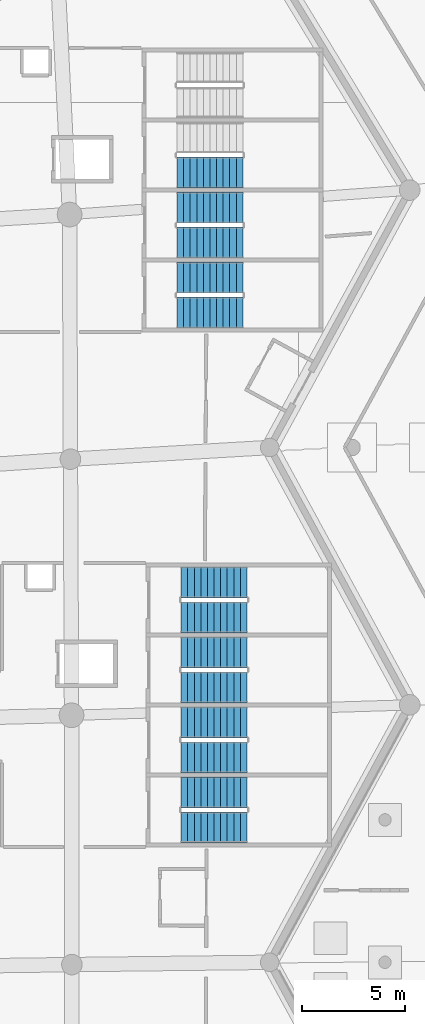
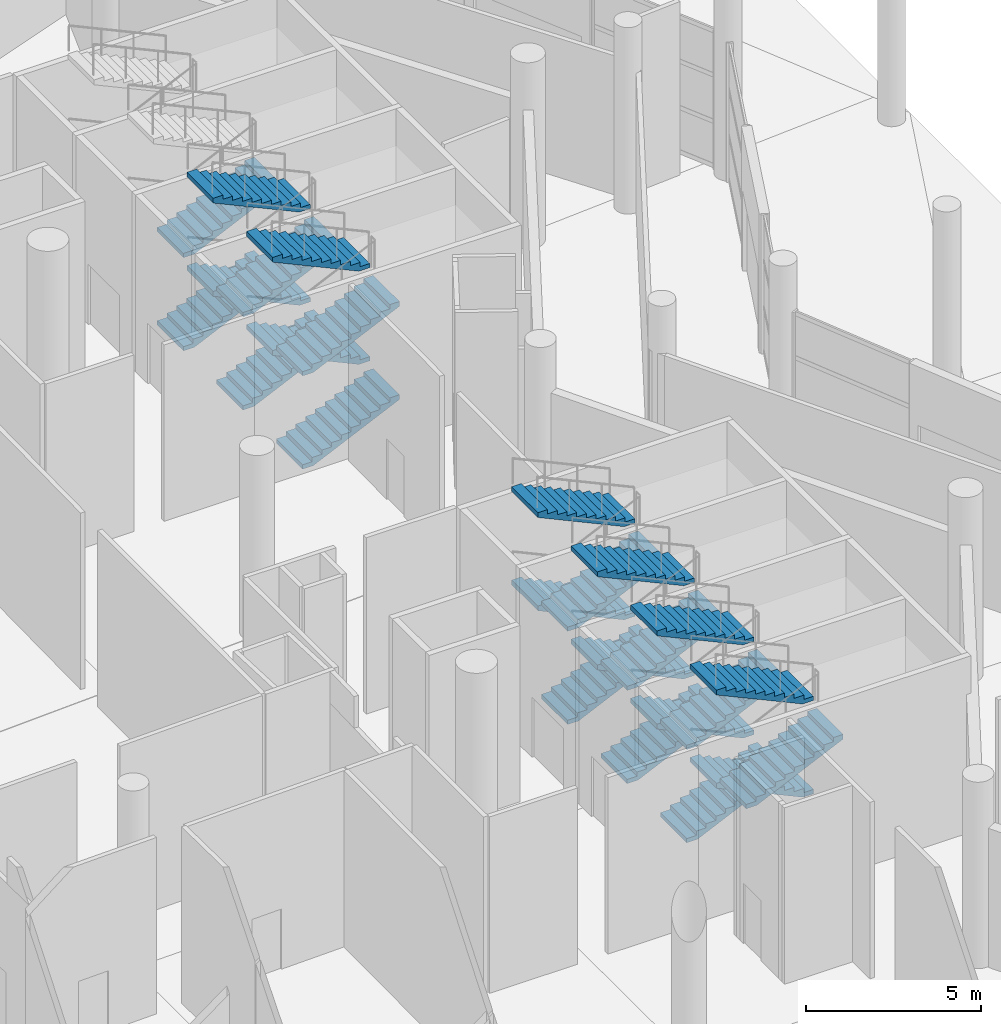
# One storey, part 178 of 255: 25 stair flights, 7 elements without a shape of their own.
"""IFC4 building model written with IfcOpenShell, lengths in metres."""

from ifc_helpers import new_model, si_unit, direction, frame, origin, place, context, subcontext, project, spatial, polyline, outline, extrude, material, type_object, element, aggregate, save


model = new_model("IFC4")

# Units and contexts
model_context = context("Model", 3, precision=1e-05, world=origin(), true_north=direction((0.0, 1.0)))
body_context = subcontext(model_context, "Body", "Model", "MODEL_VIEW")
ifc_project = project(units=[si_unit("LENGTHUNIT", "METRE"), si_unit("AREAUNIT", "SQUARE_METRE"), si_unit("VOLUMEUNIT", "CUBIC_METRE"), si_unit("PLANEANGLEUNIT", "RADIAN"), si_unit("MASSUNIT", "GRAM", prefix="KILO")], contexts=[model_context])

# Site, building, storey
site_placement = place(None, origin())
site = spatial("IfcSite", under=ifc_project, at=site_placement, CompositionType="ELEMENT")
building_placement = place(site_placement, origin())
building = spatial("IfcBuilding", under=site, at=building_placement, Name="Meseta Stadium", CompositionType="ELEMENT")
storey_placement = place(building_placement, origin())
storey = spatial("IfcBuildingStorey", under=building, at=storey_placement, Name="L00", CompositionType="ELEMENT", Elevation=0.0)

# Stair, stair flights
ifc_material_1 = material(Name="Concrete C40/50", Category="concrete")
stair_type = type_object("IfcStairType", Name="Exit stair 4 flights 148 mm risers", PredefinedType="HALF_TURN_STAIR", material=ifc_material_1)
stair_1_placement = place(storey_placement, origin())
stair_1 = element("IfcStair", 1, at=stair_1_placement, inside=storey, type_object=stair_type, Name="ST13 L00", PredefinedType="HALF_TURN_STAIR")
ifc_material_2 = material(Name="Concrete C40/50", Category="concrete")
stair_flight_type = type_object("IfcStairFlightType", Name="Exit stair flight 148 mm risers, 4 per storey", PredefinedType="STRAIGHT", material=ifc_material_2)
stair_flight_1_placement = place(storey_placement, frame((93.5, 14.5, 1.625), z_axis=(0.0, 0.0, 1.0), x_axis=(-1.0, 0.0, 0.0)))
stair_flight_1 = element("IfcStairFlight", 2, at=stair_flight_1_placement, type_object=stair_flight_type, Name="ST13 L00 flight 2", NumberOfRisers=11, NumberOfTreads=10, PredefinedType="STRAIGHT", RiserHeight=0.147727273, TreadLength=0.32, context=body_context, shape_type="SweptSolid", body=[
    extrude(outline(polyline([(0.0, 0.0), (0.0, 0.147705078125), (0.320068359375, 0.147705078125), (0.320068359375, 0.29541015625), (0.639892578125, 0.29541015625), (0.639892578125, 0.443115234375), (0.9599609375, 0.443115234375), (0.9599609375, 0.5908203125), (1.280029296875, 0.5908203125), (1.280029296875, 0.738525390625), (1.60009765625, 0.738525390625), (1.60009765625, 0.886474609375), (1.919921875, 0.886474609375), (1.919921875, 1.0341796875), (2.239990234375, 1.0341796875), (2.239990234375, 1.181884765625), (2.56005859375, 1.181884765625), (2.56005859375, 1.32958984375), (2.8798828125, 1.32958984375), (2.8798828125, 1.477294921875), (3.199951171875, 1.477294921875), (3.199951171875, 1.312255859375), (0.357666015625, 0.0), (0.0, 0.0)])), frame((0.0, 0.75, 0.0), z_axis=(0.0, -1.0, 0.0), x_axis=(1.0, 0.0, 0.0)), (0.0, 0.0, 1.0), 1.5),
])
stair_flight_2_placement = place(storey_placement, frame((90.300048828125, 12.800048828125, 3.25), z_axis=(0.0, 0.0, 1.0), x_axis=(1.0, 0.0, 0.0)))
stair_flight_2 = element("IfcStairFlight", 3, at=stair_flight_2_placement, type_object=stair_flight_type, Name="ST13 L00 flight 3", NumberOfRisers=11, NumberOfTreads=10, PredefinedType="STRAIGHT", RiserHeight=0.147727273, TreadLength=0.32, context=body_context, shape_type="SweptSolid", body=[
    extrude(outline(polyline([(0.0, 0.0), (0.0, 0.147705078125), (0.320068359375, 0.147705078125), (0.320068359375, 0.29541015625), (0.639892578125, 0.29541015625), (0.639892578125, 0.443115234375), (0.9599609375, 0.443115234375), (0.9599609375, 0.5908203125), (1.280029296875, 0.5908203125), (1.280029296875, 0.738525390625), (1.60009765625, 0.738525390625), (1.60009765625, 0.886474609375), (1.919921875, 0.886474609375), (1.919921875, 1.0341796875), (2.239990234375, 1.0341796875), (2.239990234375, 1.181884765625), (2.56005859375, 1.181884765625), (2.56005859375, 1.32958984375), (2.8798828125, 1.32958984375), (2.8798828125, 1.477294921875), (3.199951171875, 1.477294921875), (3.199951171875, 1.312255859375), (0.357666015625, 0.0), (0.0, 0.0)])), frame((0.0, 0.75, 0.0), z_axis=(0.0, -1.0, 0.0), x_axis=(1.0, 0.0, 0.0)), (0.0, 0.0, 1.0), 1.5),
])
stair_flight_3_placement = place(storey_placement, frame((93.5, 14.5, 4.875), z_axis=(0.0, 0.0, 1.0), x_axis=(-1.0, 0.0, 0.0)))
stair_flight_3 = element("IfcStairFlight", 4, at=stair_flight_3_placement, type_object=stair_flight_type, Name="ST13 L00 flight 4", NumberOfRisers=11, NumberOfTreads=10, PredefinedType="STRAIGHT", RiserHeight=0.147727273, TreadLength=0.32, context=body_context, shape_type="SweptSolid", body=[
    extrude(outline(polyline([(0.0, 0.0), (0.0, 0.147705078125), (0.320068359375, 0.147705078125), (0.320068359375, 0.29541015625), (0.639892578125, 0.29541015625), (0.639892578125, 0.443115234375), (0.9599609375, 0.443115234375), (0.9599609375, 0.5908203125), (1.280029296875, 0.5908203125), (1.280029296875, 0.738525390625), (1.60009765625, 0.738525390625), (1.60009765625, 0.886474609375), (1.919921875, 0.886474609375), (1.919921875, 1.0341796875), (2.239990234375, 1.0341796875), (2.239990234375, 1.181884765625), (2.56005859375, 1.181884765625), (2.56005859375, 1.32958984375), (2.8798828125, 1.32958984375), (2.8798828125, 1.477294921875), (3.199951171875, 1.477294921875), (3.199951171875, 1.312255859375), (0.357666015625, 0.0), (0.0, 0.0)])), frame((0.0, 0.75, 0.0), z_axis=(0.0, -1.0, 0.0), x_axis=(1.0, 0.0, 0.0)), (0.0, 0.0, 1.0), 1.5),
])
aggregate(stair_1, [stair_flight_1, stair_flight_2, stair_flight_3])

stair_2_placement = place(storey_placement, origin())
stair_2 = element("IfcStair", 5, at=stair_2_placement, inside=storey, type_object=stair_type, Name="ST14 L00", PredefinedType="HALF_TURN_STAIR")
stair_flight_4_placement = place(storey_placement, frame((90.300048828125, 16.199951171875, 0.0), z_axis=(0.0, 0.0, 1.0), x_axis=(1.0, 0.0, 0.0)))
stair_flight_4 = element("IfcStairFlight", 6, at=stair_flight_4_placement, type_object=stair_flight_type, Name="ST14 L00 flight 1", NumberOfRisers=11, NumberOfTreads=10, PredefinedType="STRAIGHT", RiserHeight=0.147727273, TreadLength=0.32, context=body_context, shape_type="SweptSolid", body=[
    extrude(outline(polyline([(0.0, 0.0), (0.0, 0.147705078125), (0.320068359375, 0.147705078125), (0.320068359375, 0.29541015625), (0.639892578125, 0.29541015625), (0.639892578125, 0.443115234375), (0.9599609375, 0.443115234375), (0.9599609375, 0.5908203125), (1.280029296875, 0.5908203125), (1.280029296875, 0.738525390625), (1.60009765625, 0.738525390625), (1.60009765625, 0.886474609375), (1.919921875, 0.886474609375), (1.919921875, 1.0341796875), (2.239990234375, 1.0341796875), (2.239990234375, 1.181884765625), (2.56005859375, 1.181884765625), (2.56005859375, 1.32958984375), (2.8798828125, 1.32958984375), (2.8798828125, 1.477294921875), (3.199951171875, 1.477294921875), (3.199951171875, 1.312255859375), (0.357666015625, 0.0), (0.0, 0.0)])), frame((0.0, 0.75, 0.0), z_axis=(0.0, -1.0, 0.0), x_axis=(1.0, 0.0, 0.0)), (0.0, 0.0, 1.0), 1.5),
])
stair_flight_5_placement = place(storey_placement, frame((93.5, 17.89990234375, 1.625), z_axis=(0.0, 0.0, 1.0), x_axis=(-1.0, 0.0, 0.0)))
stair_flight_5 = element("IfcStairFlight", 7, at=stair_flight_5_placement, type_object=stair_flight_type, Name="ST14 L00 flight 2", NumberOfRisers=11, NumberOfTreads=10, PredefinedType="STRAIGHT", RiserHeight=0.147727273, TreadLength=0.32, context=body_context, shape_type="SweptSolid", body=[
    extrude(outline(polyline([(0.0, 0.0), (0.0, 0.147705078125), (0.320068359375, 0.147705078125), (0.320068359375, 0.29541015625), (0.639892578125, 0.29541015625), (0.639892578125, 0.443115234375), (0.9599609375, 0.443115234375), (0.9599609375, 0.5908203125), (1.280029296875, 0.5908203125), (1.280029296875, 0.738525390625), (1.60009765625, 0.738525390625), (1.60009765625, 0.886474609375), (1.919921875, 0.886474609375), (1.919921875, 1.0341796875), (2.239990234375, 1.0341796875), (2.239990234375, 1.181884765625), (2.56005859375, 1.181884765625), (2.56005859375, 1.32958984375), (2.8798828125, 1.32958984375), (2.8798828125, 1.477294921875), (3.199951171875, 1.477294921875), (3.199951171875, 1.312255859375), (0.357666015625, 0.0), (0.0, 0.0)])), frame((0.0, 0.75, 0.0), z_axis=(0.0, -1.0, 0.0), x_axis=(1.0, 0.0, 0.0)), (0.0, 0.0, 1.0), 1.5),
])
stair_flight_6_placement = place(storey_placement, frame((90.300048828125, 16.199951171875, 3.25), z_axis=(0.0, 0.0, 1.0), x_axis=(1.0, 0.0, 0.0)))
stair_flight_6 = element("IfcStairFlight", 8, at=stair_flight_6_placement, type_object=stair_flight_type, Name="ST14 L00 flight 3", NumberOfRisers=11, NumberOfTreads=10, PredefinedType="STRAIGHT", RiserHeight=0.147727273, TreadLength=0.32, context=body_context, shape_type="SweptSolid", body=[
    extrude(outline(polyline([(0.0, 0.0), (0.0, 0.147705078125), (0.320068359375, 0.147705078125), (0.320068359375, 0.29541015625), (0.639892578125, 0.29541015625), (0.639892578125, 0.443115234375), (0.9599609375, 0.443115234375), (0.9599609375, 0.5908203125), (1.280029296875, 0.5908203125), (1.280029296875, 0.738525390625), (1.60009765625, 0.738525390625), (1.60009765625, 0.886474609375), (1.919921875, 0.886474609375), (1.919921875, 1.0341796875), (2.239990234375, 1.0341796875), (2.239990234375, 1.181884765625), (2.56005859375, 1.181884765625), (2.56005859375, 1.32958984375), (2.8798828125, 1.32958984375), (2.8798828125, 1.477294921875), (3.199951171875, 1.477294921875), (3.199951171875, 1.312255859375), (0.357666015625, 0.0), (0.0, 0.0)])), frame((0.0, 0.75, 0.0), z_axis=(0.0, -1.0, 0.0), x_axis=(1.0, 0.0, 0.0)), (0.0, 0.0, 1.0), 1.5),
])
stair_flight_7_placement = place(storey_placement, frame((93.5, 17.89990234375, 4.875), z_axis=(0.0, 0.0, 1.0), x_axis=(-1.0, 0.0, 0.0)))
stair_flight_7 = element("IfcStairFlight", 9, at=stair_flight_7_placement, type_object=stair_flight_type, Name="ST14 L00 flight 4", NumberOfRisers=11, NumberOfTreads=10, PredefinedType="STRAIGHT", RiserHeight=0.147727273, TreadLength=0.32, context=body_context, shape_type="SweptSolid", body=[
    extrude(outline(polyline([(0.0, 0.0), (0.0, 0.147705078125), (0.320068359375, 0.147705078125), (0.320068359375, 0.29541015625), (0.639892578125, 0.29541015625), (0.639892578125, 0.443115234375), (0.9599609375, 0.443115234375), (0.9599609375, 0.5908203125), (1.280029296875, 0.5908203125), (1.280029296875, 0.738525390625), (1.60009765625, 0.738525390625), (1.60009765625, 0.886474609375), (1.919921875, 0.886474609375), (1.919921875, 1.0341796875), (2.239990234375, 1.0341796875), (2.239990234375, 1.181884765625), (2.56005859375, 1.181884765625), (2.56005859375, 1.32958984375), (2.8798828125, 1.32958984375), (2.8798828125, 1.477294921875), (3.199951171875, 1.477294921875), (3.199951171875, 1.312255859375), (0.357666015625, 0.0), (0.0, 0.0)])), frame((0.0, 0.75, 0.0), z_axis=(0.0, -1.0, 0.0), x_axis=(1.0, 0.0, 0.0)), (0.0, 0.0, 1.0), 1.5),
])
aggregate(stair_2, [stair_flight_4, stair_flight_5, stair_flight_6, stair_flight_7])

stair_3_placement = place(storey_placement, origin())
stair_3 = element("IfcStair", 10, at=stair_3_placement, inside=storey, type_object=stair_type, Name="ST15 L00", PredefinedType="HALF_TURN_STAIR")
stair_flight_8_placement = place(storey_placement, frame((90.300048828125, 19.60009765625, 0.0), z_axis=(0.0, 0.0, 1.0), x_axis=(1.0, 0.0, 0.0)))
stair_flight_8 = element("IfcStairFlight", 11, at=stair_flight_8_placement, type_object=stair_flight_type, Name="ST15 L00 flight 1", NumberOfRisers=11, NumberOfTreads=10, PredefinedType="STRAIGHT", RiserHeight=0.147727273, TreadLength=0.32, context=body_context, shape_type="SweptSolid", body=[
    extrude(outline(polyline([(0.0, 0.0), (0.0, 0.147705078125), (0.320068359375, 0.147705078125), (0.320068359375, 0.29541015625), (0.639892578125, 0.29541015625), (0.639892578125, 0.443115234375), (0.9599609375, 0.443115234375), (0.9599609375, 0.5908203125), (1.280029296875, 0.5908203125), (1.280029296875, 0.738525390625), (1.60009765625, 0.738525390625), (1.60009765625, 0.886474609375), (1.919921875, 0.886474609375), (1.919921875, 1.0341796875), (2.239990234375, 1.0341796875), (2.239990234375, 1.181884765625), (2.56005859375, 1.181884765625), (2.56005859375, 1.32958984375), (2.8798828125, 1.32958984375), (2.8798828125, 1.477294921875), (3.199951171875, 1.477294921875), (3.199951171875, 1.312255859375), (0.357666015625, 0.0), (0.0, 0.0)])), frame((0.0, 0.75, 0.0), z_axis=(0.0, -1.0, 0.0), x_axis=(1.0, 0.0, 0.0)), (0.0, 0.0, 1.0), 1.5),
])
stair_flight_9_placement = place(storey_placement, frame((93.5, 21.300048828125, 1.625), z_axis=(0.0, 0.0, 1.0), x_axis=(-1.0, 0.0, 0.0)))
stair_flight_9 = element("IfcStairFlight", 12, at=stair_flight_9_placement, type_object=stair_flight_type, Name="ST15 L00 flight 2", NumberOfRisers=11, NumberOfTreads=10, PredefinedType="STRAIGHT", RiserHeight=0.147727273, TreadLength=0.32, context=body_context, shape_type="SweptSolid", body=[
    extrude(outline(polyline([(0.0, 0.0), (0.0, 0.147705078125), (0.320068359375, 0.147705078125), (0.320068359375, 0.29541015625), (0.639892578125, 0.29541015625), (0.639892578125, 0.443115234375), (0.9599609375, 0.443115234375), (0.9599609375, 0.5908203125), (1.280029296875, 0.5908203125), (1.280029296875, 0.738525390625), (1.60009765625, 0.738525390625), (1.60009765625, 0.886474609375), (1.919921875, 0.886474609375), (1.919921875, 1.0341796875), (2.239990234375, 1.0341796875), (2.239990234375, 1.181884765625), (2.56005859375, 1.181884765625), (2.56005859375, 1.32958984375), (2.8798828125, 1.32958984375), (2.8798828125, 1.477294921875), (3.199951171875, 1.477294921875), (3.199951171875, 1.312255859375), (0.357666015625, 0.0), (0.0, 0.0)])), frame((0.0, 0.75, 0.0), z_axis=(0.0, -1.0, 0.0), x_axis=(1.0, 0.0, 0.0)), (0.0, 0.0, 1.0), 1.5),
])
stair_flight_10_placement = place(storey_placement, frame((90.300048828125, 19.60009765625, 3.25), z_axis=(0.0, 0.0, 1.0), x_axis=(1.0, 0.0, 0.0)))
stair_flight_10 = element("IfcStairFlight", 13, at=stair_flight_10_placement, type_object=stair_flight_type, Name="ST15 L00 flight 3", NumberOfRisers=11, NumberOfTreads=10, PredefinedType="STRAIGHT", RiserHeight=0.147727273, TreadLength=0.32, context=body_context, shape_type="SweptSolid", body=[
    extrude(outline(polyline([(0.0, 0.0), (0.0, 0.147705078125), (0.320068359375, 0.147705078125), (0.320068359375, 0.29541015625), (0.639892578125, 0.29541015625), (0.639892578125, 0.443115234375), (0.9599609375, 0.443115234375), (0.9599609375, 0.5908203125), (1.280029296875, 0.5908203125), (1.280029296875, 0.738525390625), (1.60009765625, 0.738525390625), (1.60009765625, 0.886474609375), (1.919921875, 0.886474609375), (1.919921875, 1.0341796875), (2.239990234375, 1.0341796875), (2.239990234375, 1.181884765625), (2.56005859375, 1.181884765625), (2.56005859375, 1.32958984375), (2.8798828125, 1.32958984375), (2.8798828125, 1.477294921875), (3.199951171875, 1.477294921875), (3.199951171875, 1.312255859375), (0.357666015625, 0.0), (0.0, 0.0)])), frame((0.0, 0.75, 0.0), z_axis=(0.0, -1.0, 0.0), x_axis=(1.0, 0.0, 0.0)), (0.0, 0.0, 1.0), 1.5),
])
stair_flight_11_placement = place(storey_placement, frame((93.5, 21.300048828125, 4.875), z_axis=(0.0, 0.0, 1.0), x_axis=(-1.0, 0.0, 0.0)))
stair_flight_11 = element("IfcStairFlight", 14, at=stair_flight_11_placement, type_object=stair_flight_type, Name="ST15 L00 flight 4", NumberOfRisers=11, NumberOfTreads=10, PredefinedType="STRAIGHT", RiserHeight=0.147727273, TreadLength=0.32, context=body_context, shape_type="SweptSolid", body=[
    extrude(outline(polyline([(0.0, 0.0), (0.0, 0.147705078125), (0.320068359375, 0.147705078125), (0.320068359375, 0.29541015625), (0.639892578125, 0.29541015625), (0.639892578125, 0.443115234375), (0.9599609375, 0.443115234375), (0.9599609375, 0.5908203125), (1.280029296875, 0.5908203125), (1.280029296875, 0.738525390625), (1.60009765625, 0.738525390625), (1.60009765625, 0.886474609375), (1.919921875, 0.886474609375), (1.919921875, 1.0341796875), (2.239990234375, 1.0341796875), (2.239990234375, 1.181884765625), (2.56005859375, 1.181884765625), (2.56005859375, 1.32958984375), (2.8798828125, 1.32958984375), (2.8798828125, 1.477294921875), (3.199951171875, 1.477294921875), (3.199951171875, 1.312255859375), (0.357666015625, 0.0), (0.0, 0.0)])), frame((0.0, 0.75, 0.0), z_axis=(0.0, -1.0, 0.0), x_axis=(1.0, 0.0, 0.0)), (0.0, 0.0, 1.0), 1.5),
])
aggregate(stair_3, [stair_flight_8, stair_flight_9, stair_flight_10, stair_flight_11])

stair_4_placement = place(storey_placement, origin())
stair_4 = element("IfcStair", 15, at=stair_4_placement, inside=storey, type_object=stair_type, Name="ST16 L00", PredefinedType="HALF_TURN_STAIR")
stair_flight_12_placement = place(storey_placement, frame((90.300048828125, 23.0, 0.0), z_axis=(0.0, 0.0, 1.0), x_axis=(1.0, 0.0, 0.0)))
stair_flight_12 = element("IfcStairFlight", 16, at=stair_flight_12_placement, type_object=stair_flight_type, Name="ST16 L00 flight 1", NumberOfRisers=11, NumberOfTreads=10, PredefinedType="STRAIGHT", RiserHeight=0.147727273, TreadLength=0.32, context=body_context, shape_type="SweptSolid", body=[
    extrude(outline(polyline([(0.0, 0.0), (0.0, 0.147705078125), (0.320068359375, 0.147705078125), (0.320068359375, 0.29541015625), (0.639892578125, 0.29541015625), (0.639892578125, 0.443115234375), (0.9599609375, 0.443115234375), (0.9599609375, 0.5908203125), (1.280029296875, 0.5908203125), (1.280029296875, 0.738525390625), (1.60009765625, 0.738525390625), (1.60009765625, 0.886474609375), (1.919921875, 0.886474609375), (1.919921875, 1.0341796875), (2.239990234375, 1.0341796875), (2.239990234375, 1.181884765625), (2.56005859375, 1.181884765625), (2.56005859375, 1.32958984375), (2.8798828125, 1.32958984375), (2.8798828125, 1.477294921875), (3.199951171875, 1.477294921875), (3.199951171875, 1.312255859375), (0.357666015625, 0.0), (0.0, 0.0)])), frame((0.0, 0.75, 0.0), z_axis=(0.0, -1.0, 0.0), x_axis=(1.0, 0.0, 0.0)), (0.0, 0.0, 1.0), 1.5),
])
stair_flight_13_placement = place(storey_placement, frame((93.5, 24.699951171875, 1.625), z_axis=(0.0, 0.0, 1.0), x_axis=(-1.0, 0.0, 0.0)))
stair_flight_13 = element("IfcStairFlight", 17, at=stair_flight_13_placement, type_object=stair_flight_type, Name="ST16 L00 flight 2", NumberOfRisers=11, NumberOfTreads=10, PredefinedType="STRAIGHT", RiserHeight=0.147727273, TreadLength=0.32, context=body_context, shape_type="SweptSolid", body=[
    extrude(outline(polyline([(0.0, 0.0), (0.0, 0.147705078125), (0.320068359375, 0.147705078125), (0.320068359375, 0.29541015625), (0.639892578125, 0.29541015625), (0.639892578125, 0.443115234375), (0.9599609375, 0.443115234375), (0.9599609375, 0.5908203125), (1.280029296875, 0.5908203125), (1.280029296875, 0.738525390625), (1.60009765625, 0.738525390625), (1.60009765625, 0.886474609375), (1.919921875, 0.886474609375), (1.919921875, 1.0341796875), (2.239990234375, 1.0341796875), (2.239990234375, 1.181884765625), (2.56005859375, 1.181884765625), (2.56005859375, 1.32958984375), (2.8798828125, 1.32958984375), (2.8798828125, 1.477294921875), (3.199951171875, 1.477294921875), (3.199951171875, 1.312255859375), (0.357666015625, 0.0), (0.0, 0.0)])), frame((0.0, 0.75, 0.0), z_axis=(0.0, -1.0, 0.0), x_axis=(1.0, 0.0, 0.0)), (0.0, 0.0, 1.0), 1.5),
])
stair_flight_14_placement = place(storey_placement, frame((90.300048828125, 23.0, 3.25), z_axis=(0.0, 0.0, 1.0), x_axis=(1.0, 0.0, 0.0)))
stair_flight_14 = element("IfcStairFlight", 18, at=stair_flight_14_placement, type_object=stair_flight_type, Name="ST16 L00 flight 3", NumberOfRisers=11, NumberOfTreads=10, PredefinedType="STRAIGHT", RiserHeight=0.147727273, TreadLength=0.32, context=body_context, shape_type="SweptSolid", body=[
    extrude(outline(polyline([(0.0, 0.0), (0.0, 0.147705078125), (0.320068359375, 0.147705078125), (0.320068359375, 0.29541015625), (0.639892578125, 0.29541015625), (0.639892578125, 0.443115234375), (0.9599609375, 0.443115234375), (0.9599609375, 0.5908203125), (1.280029296875, 0.5908203125), (1.280029296875, 0.738525390625), (1.60009765625, 0.738525390625), (1.60009765625, 0.886474609375), (1.919921875, 0.886474609375), (1.919921875, 1.0341796875), (2.239990234375, 1.0341796875), (2.239990234375, 1.181884765625), (2.56005859375, 1.181884765625), (2.56005859375, 1.32958984375), (2.8798828125, 1.32958984375), (2.8798828125, 1.477294921875), (3.199951171875, 1.477294921875), (3.199951171875, 1.312255859375), (0.357666015625, 0.0), (0.0, 0.0)])), frame((0.0, 0.75, 0.0), z_axis=(0.0, -1.0, 0.0), x_axis=(1.0, 0.0, 0.0)), (0.0, 0.0, 1.0), 1.5),
])
stair_flight_15_placement = place(storey_placement, frame((93.5, 24.699951171875, 4.875), z_axis=(0.0, 0.0, 1.0), x_axis=(-1.0, 0.0, 0.0)))
stair_flight_15 = element("IfcStairFlight", 19, at=stair_flight_15_placement, type_object=stair_flight_type, Name="ST16 L00 flight 4", NumberOfRisers=11, NumberOfTreads=10, PredefinedType="STRAIGHT", RiserHeight=0.147727273, TreadLength=0.32, context=body_context, shape_type="SweptSolid", body=[
    extrude(outline(polyline([(0.0, 0.0), (0.0, 0.147705078125), (0.320068359375, 0.147705078125), (0.320068359375, 0.29541015625), (0.639892578125, 0.29541015625), (0.639892578125, 0.443115234375), (0.9599609375, 0.443115234375), (0.9599609375, 0.5908203125), (1.280029296875, 0.5908203125), (1.280029296875, 0.738525390625), (1.60009765625, 0.738525390625), (1.60009765625, 0.886474609375), (1.919921875, 0.886474609375), (1.919921875, 1.0341796875), (2.239990234375, 1.0341796875), (2.239990234375, 1.181884765625), (2.56005859375, 1.181884765625), (2.56005859375, 1.32958984375), (2.8798828125, 1.32958984375), (2.8798828125, 1.477294921875), (3.199951171875, 1.477294921875), (3.199951171875, 1.312255859375), (0.357666015625, 0.0), (0.0, 0.0)])), frame((0.0, 0.75, 0.0), z_axis=(0.0, -1.0, 0.0), x_axis=(1.0, 0.0, 0.0)), (0.0, 0.0, 1.0), 1.5),
])
aggregate(stair_4, [stair_flight_12, stair_flight_13, stair_flight_14, stair_flight_15])

stair_5_placement = place(storey_placement, origin())
stair_5 = element("IfcStair", 20, at=stair_5_placement, inside=storey, type_object=stair_type, Name="ST17 L00", PredefinedType="HALF_TURN_STAIR")
stair_flight_16_placement = place(storey_placement, frame((90.10009765625, 37.800048828125, 0.0), z_axis=(0.0, 0.0, 1.0), x_axis=(1.0, 0.0, 0.0)))
stair_flight_16 = element("IfcStairFlight", 21, at=stair_flight_16_placement, type_object=stair_flight_type, Name="ST17 L00 flight 1", NumberOfRisers=11, NumberOfTreads=10, PredefinedType="STRAIGHT", RiserHeight=0.147727273, TreadLength=0.32, context=body_context, shape_type="SweptSolid", body=[
    extrude(outline(polyline([(0.0, 0.0), (0.0, 0.147705078125), (0.320068359375, 0.147705078125), (0.320068359375, 0.29541015625), (0.639892578125, 0.29541015625), (0.639892578125, 0.443115234375), (0.9599609375, 0.443115234375), (0.9599609375, 0.5908203125), (1.280029296875, 0.5908203125), (1.280029296875, 0.738525390625), (1.60009765625, 0.738525390625), (1.60009765625, 0.886474609375), (1.919921875, 0.886474609375), (1.919921875, 1.0341796875), (2.239990234375, 1.0341796875), (2.239990234375, 1.181884765625), (2.56005859375, 1.181884765625), (2.56005859375, 1.32958984375), (2.8798828125, 1.32958984375), (2.8798828125, 1.477294921875), (3.199951171875, 1.477294921875), (3.199951171875, 1.312255859375), (0.357666015625, 0.0), (0.0, 0.0)])), frame((0.0, 0.75, 0.0), z_axis=(0.0, -1.0, 0.0), x_axis=(1.0, 0.0, 0.0)), (0.0, 0.0, 1.0), 1.5),
])
stair_flight_17_placement = place(storey_placement, frame((93.300048828125, 39.5, 1.625), z_axis=(0.0, 0.0, 1.0), x_axis=(-1.0, 0.0, 0.0)))
stair_flight_17 = element("IfcStairFlight", 22, at=stair_flight_17_placement, type_object=stair_flight_type, Name="ST17 L00 flight 2", NumberOfRisers=11, NumberOfTreads=10, PredefinedType="STRAIGHT", RiserHeight=0.147727273, TreadLength=0.32, context=body_context, shape_type="SweptSolid", body=[
    extrude(outline(polyline([(0.0, 0.0), (0.0, 0.147705078125), (0.320068359375, 0.147705078125), (0.320068359375, 0.29541015625), (0.639892578125, 0.29541015625), (0.639892578125, 0.443115234375), (0.9599609375, 0.443115234375), (0.9599609375, 0.5908203125), (1.280029296875, 0.5908203125), (1.280029296875, 0.738525390625), (1.60009765625, 0.738525390625), (1.60009765625, 0.886474609375), (1.919921875, 0.886474609375), (1.919921875, 1.0341796875), (2.239990234375, 1.0341796875), (2.239990234375, 1.181884765625), (2.56005859375, 1.181884765625), (2.56005859375, 1.32958984375), (2.8798828125, 1.32958984375), (2.8798828125, 1.477294921875), (3.199951171875, 1.477294921875), (3.199951171875, 1.312255859375), (0.357666015625, 0.0), (0.0, 0.0)])), frame((0.0, 0.75, 0.0), z_axis=(0.0, -1.0, 0.0), x_axis=(1.0, 0.0, 0.0)), (0.0, 0.0, 1.0), 1.5),
])
stair_flight_18_placement = place(storey_placement, frame((90.10009765625, 37.800048828125, 3.25), z_axis=(0.0, 0.0, 1.0), x_axis=(1.0, 0.0, 0.0)))
stair_flight_18 = element("IfcStairFlight", 23, at=stair_flight_18_placement, type_object=stair_flight_type, Name="ST17 L00 flight 3", NumberOfRisers=11, NumberOfTreads=10, PredefinedType="STRAIGHT", RiserHeight=0.147727273, TreadLength=0.32, context=body_context, shape_type="SweptSolid", body=[
    extrude(outline(polyline([(0.0, 0.0), (0.0, 0.147705078125), (0.320068359375, 0.147705078125), (0.320068359375, 0.29541015625), (0.639892578125, 0.29541015625), (0.639892578125, 0.443115234375), (0.9599609375, 0.443115234375), (0.9599609375, 0.5908203125), (1.280029296875, 0.5908203125), (1.280029296875, 0.738525390625), (1.60009765625, 0.738525390625), (1.60009765625, 0.886474609375), (1.919921875, 0.886474609375), (1.919921875, 1.0341796875), (2.239990234375, 1.0341796875), (2.239990234375, 1.181884765625), (2.56005859375, 1.181884765625), (2.56005859375, 1.32958984375), (2.8798828125, 1.32958984375), (2.8798828125, 1.477294921875), (3.199951171875, 1.477294921875), (3.199951171875, 1.312255859375), (0.357666015625, 0.0), (0.0, 0.0)])), frame((0.0, 0.75, 0.0), z_axis=(0.0, -1.0, 0.0), x_axis=(1.0, 0.0, 0.0)), (0.0, 0.0, 1.0), 1.5),
])
stair_flight_19_placement = place(storey_placement, frame((93.300048828125, 39.5, 4.875), z_axis=(0.0, 0.0, 1.0), x_axis=(-1.0, 0.0, 0.0)))
stair_flight_19 = element("IfcStairFlight", 24, at=stair_flight_19_placement, type_object=stair_flight_type, Name="ST17 L00 flight 4", NumberOfRisers=11, NumberOfTreads=10, PredefinedType="STRAIGHT", RiserHeight=0.147727273, TreadLength=0.32, context=body_context, shape_type="SweptSolid", body=[
    extrude(outline(polyline([(0.0, 0.0), (0.0, 0.147705078125), (0.320068359375, 0.147705078125), (0.320068359375, 0.29541015625), (0.639892578125, 0.29541015625), (0.639892578125, 0.443115234375), (0.9599609375, 0.443115234375), (0.9599609375, 0.5908203125), (1.280029296875, 0.5908203125), (1.280029296875, 0.738525390625), (1.60009765625, 0.738525390625), (1.60009765625, 0.886474609375), (1.919921875, 0.886474609375), (1.919921875, 1.0341796875), (2.239990234375, 1.0341796875), (2.239990234375, 1.181884765625), (2.56005859375, 1.181884765625), (2.56005859375, 1.32958984375), (2.8798828125, 1.32958984375), (2.8798828125, 1.477294921875), (3.199951171875, 1.477294921875), (3.199951171875, 1.312255859375), (0.357666015625, 0.0), (0.0, 0.0)])), frame((0.0, 0.75, 0.0), z_axis=(0.0, -1.0, 0.0), x_axis=(1.0, 0.0, 0.0)), (0.0, 0.0, 1.0), 1.5),
])
aggregate(stair_5, [stair_flight_16, stair_flight_17, stair_flight_18, stair_flight_19])

stair_6_placement = place(storey_placement, origin())
stair_6 = element("IfcStair", 25, at=stair_6_placement, inside=storey, type_object=stair_type, Name="ST18 L00", PredefinedType="HALF_TURN_STAIR")
stair_flight_20_placement = place(storey_placement, frame((90.10009765625, 41.199951171875, 0.0), z_axis=(0.0, 0.0, 1.0), x_axis=(1.0, 0.0, 0.0)))
stair_flight_20 = element("IfcStairFlight", 26, at=stair_flight_20_placement, type_object=stair_flight_type, Name="ST18 L00 flight 1", NumberOfRisers=11, NumberOfTreads=10, PredefinedType="STRAIGHT", RiserHeight=0.147727273, TreadLength=0.32, context=body_context, shape_type="SweptSolid", body=[
    extrude(outline(polyline([(0.0, 0.0), (0.0, 0.147705078125), (0.320068359375, 0.147705078125), (0.320068359375, 0.29541015625), (0.639892578125, 0.29541015625), (0.639892578125, 0.443115234375), (0.9599609375, 0.443115234375), (0.9599609375, 0.5908203125), (1.280029296875, 0.5908203125), (1.280029296875, 0.738525390625), (1.60009765625, 0.738525390625), (1.60009765625, 0.886474609375), (1.919921875, 0.886474609375), (1.919921875, 1.0341796875), (2.239990234375, 1.0341796875), (2.239990234375, 1.181884765625), (2.56005859375, 1.181884765625), (2.56005859375, 1.32958984375), (2.8798828125, 1.32958984375), (2.8798828125, 1.477294921875), (3.199951171875, 1.477294921875), (3.199951171875, 1.312255859375), (0.357666015625, 0.0), (0.0, 0.0)])), frame((0.0, 0.75, 0.0), z_axis=(0.0, -1.0, 0.0), x_axis=(1.0, 0.0, 0.0)), (0.0, 0.0, 1.0), 1.5),
])
stair_flight_21_placement = place(storey_placement, frame((93.300048828125, 42.89990234375, 1.625), z_axis=(0.0, 0.0, 1.0), x_axis=(-1.0, 0.0, 0.0)))
stair_flight_21 = element("IfcStairFlight", 27, at=stair_flight_21_placement, type_object=stair_flight_type, Name="ST18 L00 flight 2", NumberOfRisers=11, NumberOfTreads=10, PredefinedType="STRAIGHT", RiserHeight=0.147727273, TreadLength=0.32, context=body_context, shape_type="SweptSolid", body=[
    extrude(outline(polyline([(0.0, 0.0), (0.0, 0.147705078125), (0.320068359375, 0.147705078125), (0.320068359375, 0.29541015625), (0.639892578125, 0.29541015625), (0.639892578125, 0.443115234375), (0.9599609375, 0.443115234375), (0.9599609375, 0.5908203125), (1.280029296875, 0.5908203125), (1.280029296875, 0.738525390625), (1.60009765625, 0.738525390625), (1.60009765625, 0.886474609375), (1.919921875, 0.886474609375), (1.919921875, 1.0341796875), (2.239990234375, 1.0341796875), (2.239990234375, 1.181884765625), (2.56005859375, 1.181884765625), (2.56005859375, 1.32958984375), (2.8798828125, 1.32958984375), (2.8798828125, 1.477294921875), (3.199951171875, 1.477294921875), (3.199951171875, 1.312255859375), (0.357666015625, 0.0), (0.0, 0.0)])), frame((0.0, 0.75, 0.0), z_axis=(0.0, -1.0, 0.0), x_axis=(1.0, 0.0, 0.0)), (0.0, 0.0, 1.0), 1.5),
])
stair_flight_22_placement = place(storey_placement, frame((90.10009765625, 41.199951171875, 3.25), z_axis=(0.0, 0.0, 1.0), x_axis=(1.0, 0.0, 0.0)))
stair_flight_22 = element("IfcStairFlight", 28, at=stair_flight_22_placement, type_object=stair_flight_type, Name="ST18 L00 flight 3", NumberOfRisers=11, NumberOfTreads=10, PredefinedType="STRAIGHT", RiserHeight=0.147727273, TreadLength=0.32, context=body_context, shape_type="SweptSolid", body=[
    extrude(outline(polyline([(0.0, 0.0), (0.0, 0.147705078125), (0.320068359375, 0.147705078125), (0.320068359375, 0.29541015625), (0.639892578125, 0.29541015625), (0.639892578125, 0.443115234375), (0.9599609375, 0.443115234375), (0.9599609375, 0.5908203125), (1.280029296875, 0.5908203125), (1.280029296875, 0.738525390625), (1.60009765625, 0.738525390625), (1.60009765625, 0.886474609375), (1.919921875, 0.886474609375), (1.919921875, 1.0341796875), (2.239990234375, 1.0341796875), (2.239990234375, 1.181884765625), (2.56005859375, 1.181884765625), (2.56005859375, 1.32958984375), (2.8798828125, 1.32958984375), (2.8798828125, 1.477294921875), (3.199951171875, 1.477294921875), (3.199951171875, 1.312255859375), (0.357666015625, 0.0), (0.0, 0.0)])), frame((0.0, 0.75, 0.0), z_axis=(0.0, -1.0, 0.0), x_axis=(1.0, 0.0, 0.0)), (0.0, 0.0, 1.0), 1.5),
])
stair_flight_23_placement = place(storey_placement, frame((93.300048828125, 42.89990234375, 4.875), z_axis=(0.0, 0.0, 1.0), x_axis=(-1.0, 0.0, 0.0)))
stair_flight_23 = element("IfcStairFlight", 29, at=stair_flight_23_placement, type_object=stair_flight_type, Name="ST18 L00 flight 4", NumberOfRisers=11, NumberOfTreads=10, PredefinedType="STRAIGHT", RiserHeight=0.147727273, TreadLength=0.32, context=body_context, shape_type="SweptSolid", body=[
    extrude(outline(polyline([(0.0, 0.0), (0.0, 0.147705078125), (0.320068359375, 0.147705078125), (0.320068359375, 0.29541015625), (0.639892578125, 0.29541015625), (0.639892578125, 0.443115234375), (0.9599609375, 0.443115234375), (0.9599609375, 0.5908203125), (1.280029296875, 0.5908203125), (1.280029296875, 0.738525390625), (1.60009765625, 0.738525390625), (1.60009765625, 0.886474609375), (1.919921875, 0.886474609375), (1.919921875, 1.0341796875), (2.239990234375, 1.0341796875), (2.239990234375, 1.181884765625), (2.56005859375, 1.181884765625), (2.56005859375, 1.32958984375), (2.8798828125, 1.32958984375), (2.8798828125, 1.477294921875), (3.199951171875, 1.477294921875), (3.199951171875, 1.312255859375), (0.357666015625, 0.0), (0.0, 0.0)])), frame((0.0, 0.75, 0.0), z_axis=(0.0, -1.0, 0.0), x_axis=(1.0, 0.0, 0.0)), (0.0, 0.0, 1.0), 1.5),
])
aggregate(stair_6, [stair_flight_20, stair_flight_21, stair_flight_22, stair_flight_23])

stair_7_placement = place(storey_placement, origin())
stair_7 = element("IfcStair", 30, at=stair_7_placement, inside=storey, type_object=stair_type, Name="ST19 L00", PredefinedType="HALF_TURN_STAIR")
stair_flight_24_placement = place(storey_placement, frame((90.10009765625, 44.60009765625, 0.0), z_axis=(0.0, 0.0, 1.0), x_axis=(1.0, 0.0, 0.0)))
stair_flight_24 = element("IfcStairFlight", 31, at=stair_flight_24_placement, type_object=stair_flight_type, Name="ST19 L00 flight 1", NumberOfRisers=11, NumberOfTreads=10, PredefinedType="STRAIGHT", RiserHeight=0.147727273, TreadLength=0.32, context=body_context, shape_type="SweptSolid", body=[
    extrude(outline(polyline([(0.0, 0.0), (0.0, 0.147705078125), (0.320068359375, 0.147705078125), (0.320068359375, 0.29541015625), (0.639892578125, 0.29541015625), (0.639892578125, 0.443115234375), (0.9599609375, 0.443115234375), (0.9599609375, 0.5908203125), (1.280029296875, 0.5908203125), (1.280029296875, 0.738525390625), (1.60009765625, 0.738525390625), (1.60009765625, 0.886474609375), (1.919921875, 0.886474609375), (1.919921875, 1.0341796875), (2.239990234375, 1.0341796875), (2.239990234375, 1.181884765625), (2.56005859375, 1.181884765625), (2.56005859375, 1.32958984375), (2.8798828125, 1.32958984375), (2.8798828125, 1.477294921875), (3.199951171875, 1.477294921875), (3.199951171875, 1.312255859375), (0.357666015625, 0.0), (0.0, 0.0)])), frame((0.0, 0.75, 0.0), z_axis=(0.0, -1.0, 0.0), x_axis=(1.0, 0.0, 0.0)), (0.0, 0.0, 1.0), 1.5),
])
stair_flight_25_placement = place(storey_placement, frame((90.10009765625, 44.60009765625, 3.25), z_axis=(0.0, 0.0, 1.0), x_axis=(1.0, 0.0, 0.0)))
stair_flight_25 = element("IfcStairFlight", 32, at=stair_flight_25_placement, type_object=stair_flight_type, Name="ST19 L00 flight 3", NumberOfRisers=11, NumberOfTreads=10, PredefinedType="STRAIGHT", RiserHeight=0.147727273, TreadLength=0.32, context=body_context, shape_type="SweptSolid", body=[
    extrude(outline(polyline([(0.0, 0.0), (0.0, 0.147705078125), (0.320068359375, 0.147705078125), (0.320068359375, 0.29541015625), (0.639892578125, 0.29541015625), (0.639892578125, 0.443115234375), (0.9599609375, 0.443115234375), (0.9599609375, 0.5908203125), (1.280029296875, 0.5908203125), (1.280029296875, 0.738525390625), (1.60009765625, 0.738525390625), (1.60009765625, 0.886474609375), (1.919921875, 0.886474609375), (1.919921875, 1.0341796875), (2.239990234375, 1.0341796875), (2.239990234375, 1.181884765625), (2.56005859375, 1.181884765625), (2.56005859375, 1.32958984375), (2.8798828125, 1.32958984375), (2.8798828125, 1.477294921875), (3.199951171875, 1.477294921875), (3.199951171875, 1.312255859375), (0.357666015625, 0.0), (0.0, 0.0)])), frame((0.0, 0.75, 0.0), z_axis=(0.0, -1.0, 0.0), x_axis=(1.0, 0.0, 0.0)), (0.0, 0.0, 1.0), 1.5),
])
aggregate(stair_7, [stair_flight_24, stair_flight_25])

save(model, "model.ifc")
